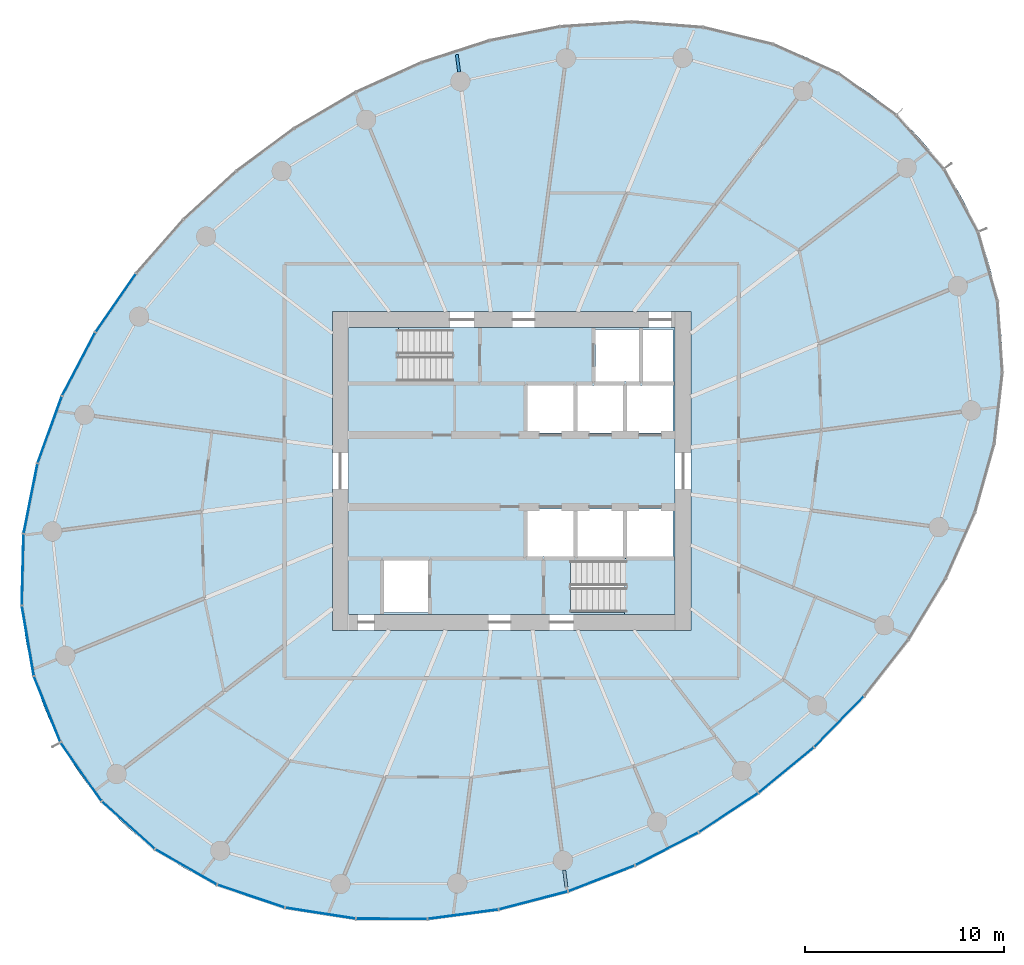
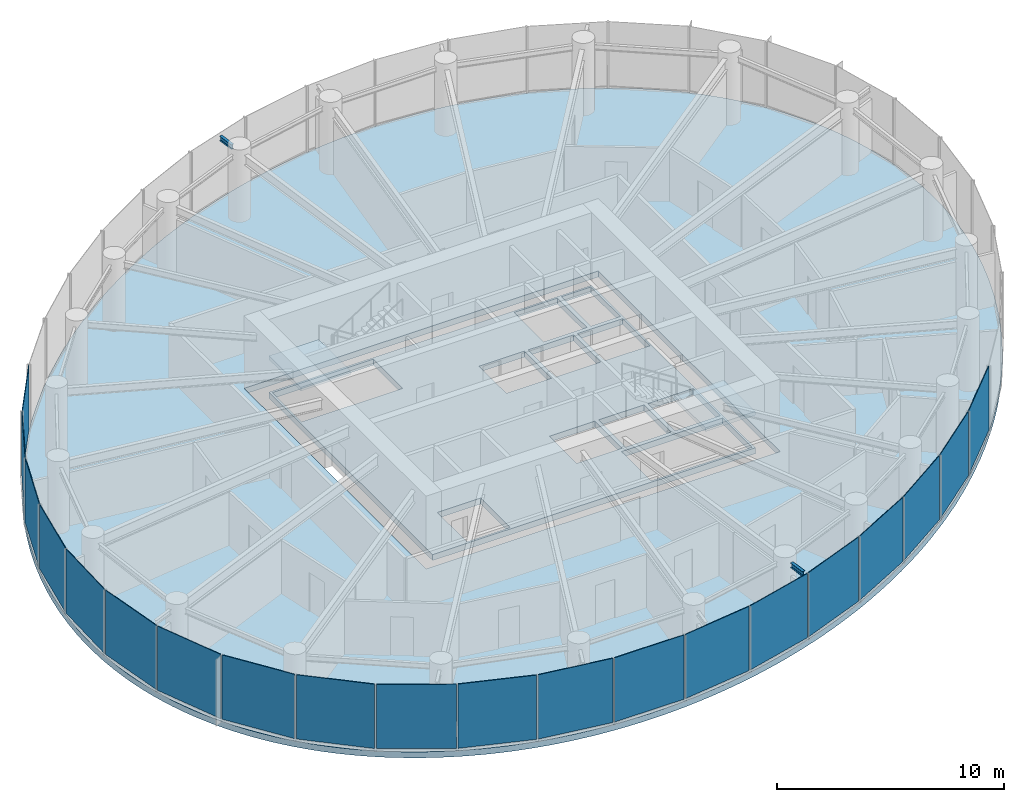
# One storey, part 7 of 14: 20 plates, 4 slabs, 2 beams, 6 elements without a shape of their own.
"""IFC4 building model written with IfcOpenShell, lengths in metres."""

from ifc_helpers import new_model, si_unit, direction, frame, origin, origin_2d, place, context, subcontext, project, spatial, line, indexed_curve, rectangle, i_section, outline, extrude, source, transform, mapped, material, layer, layer_set, material_profile, profile_set, type_object, element, aggregate, save


model = new_model("IFC4")

# Units and contexts
model_context = context("Model", 3, precision=1e-05, world=origin(), true_north=direction((0.0, 1.0)))
body_context = subcontext(model_context, "Body", "Model", "MODEL_VIEW")
ifc_project = project(units=[si_unit("LENGTHUNIT", "METRE"), si_unit("AREAUNIT", "SQUARE_METRE"), si_unit("VOLUMEUNIT", "CUBIC_METRE"), si_unit("PLANEANGLEUNIT", "RADIAN"), si_unit("MASSUNIT", "GRAM", prefix="KILO")], contexts=[model_context])

# Site, building, storey
site_placement = place(None, origin())
site = spatial("IfcSite", under=ifc_project, at=site_placement, CompositionType="ELEMENT")
building_placement = place(site_placement, origin())
building = spatial("IfcBuilding", under=site, at=building_placement, Name="Spindrift Exchange Tower", CompositionType="ELEMENT")
storey_placement = place(building_placement, frame((0.0, 0.0, 164.300048828125)))
storey = spatial("IfcBuildingStorey", under=building, at=storey_placement, Name="L39", CompositionType="ELEMENT", Elevation=164.300048828125)

# Beams
ifc_material_1 = material(Name="Steel Grade 300", Category="steel")
ifc_material_profile = material_profile(ifc_material_1, i_section(OverallWidth=0.14599609375, OverallDepth=0.251953125, WebThickness=0.006103515625, FlangeThickness=0.008544921875, FilletRadius=0.011962890625, at=origin_2d()), Name="250UB31.4")
ifc_profile_set = profile_set([ifc_material_profile], Name="Steel Grade 300")
beam_type = type_object("IfcBeamType", Name="Cantilever Beam 250UB31.4 Steel Grade 300", PredefinedType="BEAM", material=ifc_profile_set)
shared_shape_1 = source(origin(), body_context, "Body", "SweptSolid", [
    extrude(i_section(OverallWidth=0.14599609375, OverallDepth=0.251953125, WebThickness=0.006103515625, FlangeThickness=0.008544921875, FilletRadius=0.011962890625, at=origin_2d()), origin(), (0.0, 0.0, 1.0), 0.873046875),
])
for number, where, z_axis, x_axis, name in (
    (1, (49.36328125, 68.027099609375, 3.453857421875), (-0.130295389849, 0.991475219753, 0.0), (-0.991475219753, -0.130295389849, 0.0), "L39 cantilever beam R07T"),
    (2, (54.63671875, 27.972900390625, 3.453857421875), (0.130295389849, -0.991475219753, 0.0), (0.991475219753, 0.130295389849, 0.0), "L39 cantilever beam R19T"),
):
    element("IfcBeam", number, at=place(storey_placement, frame(where, z_axis=z_axis, x_axis=x_axis)), inside=storey, type_object=beam_type, Name=name, PredefinedType="BEAM", context=body_context, shape_type="MappedRepresentation", body=[
        mapped(shared_shape_1, transform((0.0, 0.0, 0.0), scale=1.0)),
    ])

# Slabs
ifc_material_2 = material(Name="Concrete 40 MPa", Category="concrete")
ifc_layer_1 = layer(ifc_material_2, 0.320068359375)
ifc_layer_set_1 = layer_set([ifc_layer_1], Name="RC Floor Slab 320 Concrete 40 MPa")
slab_type_1 = type_object("IfcSlabType", Name="RC Floor Slab 320 Concrete 40 MPa", PredefinedType="FLOOR", material=ifc_layer_set_1)
slab_1_placement = place(storey_placement, frame((0.0, 0.0, -0.320068359375)))
element("IfcSlab", 3, at=slab_1_placement, inside=storey, type_object=slab_type_1, Name="Floor slab L39", PredefinedType="FLOOR", context=body_context, shape_type="SweptSolid", body=[
    extrude(outline(indexed_curve([(73.689697265625, 63.158203125), (73.4501953125, 63.491455078125), (73.2021484375, 63.818359375), (72.945556640625, 64.138427734375), (72.680908203125, 64.451904296875), (72.407958984375, 64.75830078125), (72.127197265625, 65.0576171875), (71.8388671875, 65.349365234375), (71.543212890625, 65.6337890625), (71.240234375, 65.910400390625), (70.930419921875, 66.179443359375), (70.614013671875, 66.4404296875), (70.291015625, 66.693603515625), (69.9619140625, 66.938720703125), (69.627197265625, 67.175537109375), (69.286376953125, 67.404296875), (68.58935546875, 67.8369140625), (68.2333984375, 68.041015625), (67.507568359375, 68.423583984375), (66.765380859375, 68.7734375), (66.388427734375, 68.935791015625), (65.624755859375, 69.23583984375), (64.84912109375, 69.50341796875), (64.45751953125, 69.625244140625), (63.666748046875, 69.844970703125), (62.8681640625, 70.033203125), (62.46630859375, 70.11572265625), (61.658203125, 70.25830078125), (60.845458984375, 70.37109375), (60.437744140625, 70.41650390625), (60.029296875, 70.454833984375), (59.210693359375, 70.510498046875), (58.390380859375, 70.5380859375), (57.980224609375, 70.5419921875), (57.159912109375, 70.529541015625), (56.749755859375, 70.513671875), (56.340087890625, 70.4912109375), (55.52197265625, 70.427734375), (54.706298828125, 70.339599609375), (54.29931640625, 70.286376953125), (53.893310546875, 70.227294921875), (53.083984375, 70.091796875), (52.279052734375, 69.933349609375), (51.878173828125, 69.845703125), (51.080322265625, 69.654052734375), (50.683349609375, 69.55029296875), (50.287841796875, 69.44091796875), (49.50146484375, 69.206787109375), (49.110595703125, 69.082275390625), (48.333740234375, 68.817626953125), (47.564208984375, 68.533203125), (47.18212890625, 68.3837890625), (46.802001953125, 68.2294921875), (46.047607421875, 67.906494140625), (45.67333984375, 67.73828125), (44.931396484375, 67.3876953125), (43.835205078125, 66.828125), (42.760009765625, 66.229248046875), (41.706787109375, 65.592041015625), (41.017822265625, 65.146240234375), (40.33984375, 64.684326171875), (39.34375, 63.961181640625), (38.6943359375, 63.459716796875), (38.05712890625, 62.942626953125), (37.125, 62.138916015625), (36.222900390625, 61.301513671875), (35.35205078125, 60.431884765625), (34.78955078125, 59.834228515625), (34.51416015625, 59.5302734375), (33.974609375, 58.912109375), (33.710693359375, 58.597900390625), (33.450927734375, 58.2802734375), (32.94384765625, 57.63525390625), (32.696533203125, 57.307861328125), (32.215087890625, 56.643310546875), (31.751708984375, 55.966064453125), (31.527099609375, 55.622802734375), (31.091796875, 54.92724609375), (30.881591796875, 54.574951171875), (30.67626953125, 54.2197265625), (30.281005859375, 53.50048828125), (30.09130859375, 53.13671875), (29.72802734375, 52.40087890625), (29.38720703125, 51.654541015625), (29.225341796875, 51.277587890625), (28.919677734375, 50.51611328125), (28.77587890625, 50.1318359375), (28.50732421875, 49.3564453125), (28.3828125, 48.965576171875), (28.1533203125, 48.177734375), (28.049072265625, 47.781005859375), (27.951416015625, 47.38232421875), (27.778076171875, 46.580322265625), (27.63427734375, 45.772705078125), (27.57373046875, 45.36669921875), (27.47607421875, 44.552001953125), (27.410400390625, 43.734130859375), (27.39013671875, 43.324462890625), (27.375, 42.50390625), (27.394287109375, 41.683837890625), (27.417236328125, 41.274169921875), (27.490478515625, 40.456787109375), (27.6005859375, 39.643798828125), (27.669677734375, 39.239501953125), (27.83642578125, 38.43603515625), (27.93408203125, 38.03759765625), (28.158447265625, 37.248291015625), (28.28515625, 36.858154296875), (28.421630859375, 36.47119140625), (28.567626953125, 36.087646484375), (28.723388671875, 35.708251953125), (28.888916015625, 35.332763671875), (29.06396484375, 34.961669921875), (29.248291015625, 34.59521484375), (29.4423828125, 34.233642578125), (29.645751953125, 33.877197265625), (29.858154296875, 33.5263671875), (30.079833984375, 33.18115234375), (30.310302734375, 32.841796875), (30.5498046875, 32.508544921875), (30.7978515625, 32.181640625), (31.054443359375, 31.861572265625), (31.319091796875, 31.548095703125), (31.592041015625, 31.24169921875), (31.872802734375, 30.9423828125), (32.1611328125, 30.650634765625), (32.456787109375, 30.3662109375), (32.759765625, 30.089599609375), (33.069580078125, 29.820556640625), (33.385986328125, 29.5595703125), (33.708984375, 29.306396484375), (34.0380859375, 29.061279296875), (34.372802734375, 28.824462890625), (34.713623046875, 28.595703125), (35.41064453125, 28.1630859375), (35.7666015625, 27.958984375), (36.492431640625, 27.576416015625), (37.234619140625, 27.2265625), (37.611572265625, 27.064208984375), (38.375244140625, 26.76416015625), (39.15087890625, 26.49658203125), (39.54248046875, 26.374755859375), (40.333251953125, 26.155029296875), (41.1318359375, 25.966796875), (41.53369140625, 25.88427734375), (42.341796875, 25.74169921875), (43.154541015625, 25.62890625), (43.562255859375, 25.58349609375), (43.970703125, 25.545166015625), (44.789306640625, 25.489501953125), (45.609619140625, 25.4619140625), (46.019775390625, 25.4580078125), (46.840087890625, 25.470458984375), (47.250244140625, 25.486328125), (47.659912109375, 25.5087890625), (48.47802734375, 25.572265625), (49.293701171875, 25.660400390625), (49.70068359375, 25.713623046875), (50.106689453125, 25.772705078125), (50.916015625, 25.908203125), (51.720947265625, 26.066650390625), (52.121826171875, 26.154296875), (52.919677734375, 26.345947265625), (53.316650390625, 26.44970703125), (53.712158203125, 26.55908203125), (54.49853515625, 26.793212890625), (54.889404296875, 26.917724609375), (55.666259765625, 27.182373046875), (56.435791015625, 27.466796875), (56.81787109375, 27.6162109375), (57.197998046875, 27.7705078125), (57.952392578125, 28.093505859375), (58.32666015625, 28.26171875), (59.068603515625, 28.6123046875), (60.164794921875, 29.171875), (61.239990234375, 29.770751953125), (62.293212890625, 30.407958984375), (62.982177734375, 30.853759765625), (63.66015625, 31.315673828125), (64.65625, 32.038818359375), (65.3056640625, 32.540283203125), (65.94287109375, 33.057373046875), (66.875, 33.861083984375), (67.777099609375, 34.698486328125), (68.64794921875, 35.568115234375), (69.21044921875, 36.165771484375), (69.48583984375, 36.4697265625), (70.025390625, 37.087890625), (70.289306640625, 37.402099609375), (70.549072265625, 37.7197265625), (71.05615234375, 38.36474609375), (71.303466796875, 38.692138671875), (71.784912109375, 39.356689453125), (72.248291015625, 40.033935546875), (72.472900390625, 40.377197265625), (72.908203125, 41.07275390625), (73.118408203125, 41.425048828125), (73.32373046875, 41.7802734375), (73.718994140625, 42.49951171875), (73.90869140625, 42.86328125), (74.27197265625, 43.59912109375), (74.61279296875, 44.345458984375), (74.774658203125, 44.722412109375), (75.080322265625, 45.48388671875), (75.22412109375, 45.8681640625), (75.49267578125, 46.6435546875), (75.6171875, 47.034423828125), (75.8466796875, 47.822265625), (75.950927734375, 48.218994140625), (76.048583984375, 48.61767578125), (76.221923828125, 49.419677734375), (76.36572265625, 50.227294921875), (76.42626953125, 50.63330078125), (76.52392578125, 51.447998046875), (76.589599609375, 52.265869140625), (76.60986328125, 52.675537109375), (76.625, 53.49609375), (76.605712890625, 54.316162109375), (76.582763671875, 54.725830078125), (76.509521484375, 55.543212890625), (76.3994140625, 56.356201171875), (76.330322265625, 56.760498046875), (76.16357421875, 57.56396484375), (76.06591796875, 57.96240234375), (75.841552734375, 58.751708984375), (75.71484375, 59.141845703125), (75.578369140625, 59.52880859375), (75.432373046875, 59.912353515625), (75.276611328125, 60.291748046875), (75.111083984375, 60.667236328125), (74.93603515625, 61.038330078125), (74.751708984375, 61.40478515625), (74.5576171875, 61.766357421875), (74.354248046875, 62.122802734375), (74.141845703125, 62.4736328125), (73.920166015625, 62.81884765625)], segments=[line(1, 2, 3, 4, 5, 6, 7, 8, 9, 10, 11, 12, 13, 14, 15, 16, 17, 18, 19, 20, 21, 22, 23, 24, 25, 26, 27, 28, 29, 30, 31, 32, 33, 34, 35, 36, 37, 38, 39, 40, 41, 42, 43, 44, 45, 46, 47, 48, 49, 50, 51, 52, 53, 54, 55, 56, 57, 58, 59, 60, 61, 62, 63, 64, 65, 66, 67, 68, 69, 70, 71, 72, 73, 74, 75, 76, 77, 78, 79, 80, 81, 82, 83, 84, 85, 86, 87, 88, 89, 90, 91, 92, 93, 94, 95, 96, 97, 98, 99, 100, 101, 102, 103, 104, 105, 106, 107, 108, 109, 110, 111, 112, 113, 114, 115, 116, 117, 118, 119, 120, 121, 122, 123, 124, 125, 126, 127, 128, 129, 130, 131, 132, 133, 134, 135, 136, 137, 138, 139, 140, 141, 142, 143, 144, 145, 146, 147, 148, 149, 150, 151, 152, 153, 154, 155, 156, 157, 158, 159, 160, 161, 162, 163, 164, 165, 166, 167, 168, 169, 170, 171, 172, 173, 174, 175, 176, 177, 178, 179, 180, 181, 182, 183, 184, 185, 186, 187, 188, 189, 190, 191, 192, 193, 194, 195, 196, 197, 198, 199, 200, 201, 202, 203, 204, 205, 206, 207, 208, 209, 210, 211, 212, 213, 214, 215, 216, 217, 218, 219, 220, 221, 222, 223, 224, 225, 226, 227, 228, 229, 230, 231, 232, 233, 234, 235, 236, 1)], self_intersect=False), holes=[indexed_curve([(43.0, 40.0), (61.0, 40.0), (61.0, 56.0), (43.0, 56.0)], segments=[line(1, 2, 3, 4, 1)], self_intersect=False)]), origin(), (0.0, 0.0, 1.0), 0.320068359375),
])
ifc_material_3 = material(Name="Concrete 50 MPa", Category="concrete")
ifc_layer_2 = layer(ifc_material_3, 0.320068359375)
ifc_layer_set_2 = layer_set([ifc_layer_2], Name="SL-CORE-FLOOR-320")
slab_type_2 = type_object("IfcSlabType", Name="SL-CORE-FLOOR-320", PredefinedType="FLOOR", material=ifc_layer_set_2)
slab_2_placement = place(storey_placement, frame((0.0, 0.0, -0.320068359375)))
element("IfcSlab", 4, at=slab_2_placement, inside=storey, type_object=slab_type_2, Name="L39 Core floor slab", PredefinedType="FLOOR", context=body_context, shape_type="SweptSolid", body=[
    extrude(outline(indexed_curve([(43.800048828125, 40.800048828125), (43.800048828125, 55.199951171875), (60.199951171875, 55.199951171875), (60.199951171875, 40.800048828125)], segments=[line(1, 2, 3, 4, 1)], self_intersect=False), holes=[indexed_curve([(45.60009765625, 43.5), (45.60009765625, 40.89990234375), (47.800048828125, 40.89990234375), (47.800048828125, 43.5)], segments=[line(1, 2, 3, 4, 1)], self_intersect=False), indexed_curve([(52.800048828125, 46.10009765625), (52.800048828125, 43.699951171875), (55.10009765625, 43.699951171875), (55.10009765625, 46.10009765625)], segments=[line(1, 2, 3, 4, 1)], self_intersect=False), indexed_curve([(55.300048828125, 46.10009765625), (55.300048828125, 43.699951171875), (57.60009765625, 43.699951171875), (57.60009765625, 46.10009765625)], segments=[line(1, 2, 3, 4, 1)], self_intersect=False), indexed_curve([(55.10009765625, 52.300048828125), (52.800048828125, 52.300048828125), (52.800048828125, 49.89990234375), (55.10009765625, 49.89990234375)], segments=[line(1, 2, 3, 4, 1)], self_intersect=False), indexed_curve([(57.60009765625, 52.300048828125), (55.300048828125, 52.300048828125), (55.300048828125, 49.89990234375), (57.60009765625, 49.89990234375)], segments=[line(1, 2, 3, 4, 1)], self_intersect=False), indexed_curve([(43.906005859375, 52.506103515625), (49.0439453125, 52.506103515625), (49.0439453125, 55.093994140625), (43.906005859375, 55.093994140625)], segments=[line(1, 2, 3, 4, 1)], self_intersect=False), indexed_curve([(60.093994140625, 40.906005859375), (60.093994140625, 43.493896484375), (54.9560546875, 43.493896484375), (54.9560546875, 40.906005859375)], segments=[line(1, 2, 3, 4, 1)], self_intersect=False), indexed_curve([(60.10009765625, 46.10009765625), (57.800048828125, 46.10009765625), (57.800048828125, 43.699951171875), (60.10009765625, 43.699951171875)], segments=[line(1, 2, 3, 4, 1)], self_intersect=False), indexed_curve([(57.800048828125, 52.300048828125), (57.800048828125, 49.89990234375), (60.10009765625, 49.89990234375), (60.10009765625, 52.300048828125)], segments=[line(1, 2, 3, 4, 1)], self_intersect=False), indexed_curve([(58.39990234375, 55.10009765625), (56.199951171875, 55.10009765625), (56.199951171875, 52.5), (58.39990234375, 52.5)], segments=[line(1, 2, 3, 4, 1)], self_intersect=False), indexed_curve([(60.10009765625, 55.10009765625), (58.60009765625, 55.10009765625), (58.60009765625, 52.5), (60.10009765625, 52.5)], segments=[line(1, 2, 3, 4, 1)], self_intersect=False)]), origin(), (0.0, 0.0, 1.0), 0.320068359375),
])

# Stair, slab
stair_type = type_object("IfcStairType", Name="ST-1250-R177", PredefinedType="HALF_TURN_STAIR", material=ifc_material_3)
stair_1_placement = place(storey_placement, origin())
stair_1 = element("IfcStair", 5, at=stair_1_placement, inside=storey, type_object=stair_type, Name="L39 Exit stair ST1", PredefinedType="HALF_TURN_STAIR")
ifc_layer_3 = layer(ifc_material_3, 0.199951171875)
ifc_layer_set_3 = layer_set([ifc_layer_3], Name="SL-LANDING")
slab_type_3 = type_object("IfcSlabType", Name="SL-LANDING", PredefinedType="LANDING", material=ifc_layer_set_3)
slab_3_placement = place(storey_placement, frame((0.0, 0.0, 1.75)))
slab_3 = element("IfcSlab", 6, at=slab_3_placement, type_object=slab_type_3, Name="ST1 landing 1", PredefinedType="LANDING", context=body_context, shape_type="SweptSolid", body=[
    extrude(outline(indexed_curve([(46.330078125, 52.39990234375), (43.800048828125, 52.39990234375), (43.800048828125, 55.199951171875), (46.330078125, 55.199951171875)], segments=[line(1, 2, 3, 4, 1)], self_intersect=False)), origin(), (0.0, 0.0, 1.0), 0.199951171875),
])
aggregate(stair_1, [slab_3])

stair_2_placement = place(storey_placement, origin())
stair_2 = element("IfcStair", 7, at=stair_2_placement, inside=storey, type_object=stair_type, Name="L39 Exit stair ST2", PredefinedType="HALF_TURN_STAIR")
slab_4_placement = place(storey_placement, frame((0.0, 0.0, 1.75)))
slab_4 = element("IfcSlab", 8, at=slab_4_placement, type_object=slab_type_3, Name="ST2 landing 1", PredefinedType="LANDING", context=body_context, shape_type="SweptSolid", body=[
    extrude(outline(indexed_curve([(57.669921875, 43.60009765625), (60.199951171875, 43.60009765625), (60.199951171875, 40.800048828125), (57.669921875, 40.800048828125)], segments=[line(1, 2, 3, 4, 1)], self_intersect=False)), origin(), (0.0, 0.0, 1.0), 0.199951171875),
])
aggregate(stair_2, [slab_4])

# Curtain wall, plate
ifc_material_4 = material(Name="Fritted laminated glass with bronze frame", Category="glass")
ifc_layer_4 = layer(ifc_material_4, 0.179931640625)
ifc_layer_set_4 = layer_set([ifc_layer_4], Name="ZONE 3 BRONZE FRITTED WALL")
curtain_wall_type = type_object("IfcCurtainWallType", Name="ZONE 3 BRONZE FRITTED WALL", PredefinedType="NOTDEFINED", material=ifc_layer_set_4)
curtain_wall_1_placement = place(storey_placement, origin())
curtain_wall_1 = element("IfcCurtainWall", 9, at=curtain_wall_1_placement, inside=storey, type_object=curtain_wall_type, Name="L39 Zone 3 Bronze Fritted Wall run 5", PredefinedType="NOTDEFINED")
ifc_material_5 = material(Name="Bronze fritted laminated glass, open frit", Category="glass")
ifc_layer_5 = layer(ifc_material_5, 0.031982421875)
ifc_layer_set_5 = layer_set([ifc_layer_5], Name="ZONE 3 BRONZE FRITTED WALL PANEL OPEN FRIT 360")
plate_type_1 = type_object("IfcPlateType", Name="ZONE 3 BRONZE FRITTED WALL PANEL OPEN FRIT 360", PredefinedType="CURTAIN_PANEL", material=ifc_layer_set_5)
shared_shape_2 = source(origin(), body_context, "Body", "SweptSolid", [
    extrude(rectangle(XDim=3.530517578125, YDim=0.031982421875, at=origin_2d()), origin(), (0.0, 0.0, 1.0), 3.449951171875),
])
plate_1_placement = place(storey_placement, frame((56.51123046875, 27.54931640625, 0.1298828125), z_axis=(0.0, 0.0, 1.0), x_axis=(0.932504195084, 0.361159142417, 0.0)))
plate_1 = element("IfcPlate", 10, at=plate_1_placement, type_object=plate_type_1, Name="L39 panel CW-3.29", PredefinedType="CURTAIN_PANEL", context=body_context, shape_type="MappedRepresentation", body=[
    mapped(shared_shape_2, transform((0.0, 0.0, 0.0), scale=1.0)),
])

# Curtain wall, plates
curtain_wall_2_placement = place(storey_placement, origin())
curtain_wall_2 = element("IfcCurtainWall", 11, at=curtain_wall_2_placement, inside=storey, type_object=curtain_wall_type, Name="L39 Zone 3 Bronze Fritted Wall run 6", PredefinedType="NOTDEFINED")
ifc_layer_6 = layer(ifc_material_5, 0.031982421875)
ifc_layer_set_6 = layer_set([ifc_layer_6], Name="ZONE 3 BRONZE FRITTED WALL PANEL OPEN FRIT 600")
plate_type_2 = type_object("IfcPlateType", Name="ZONE 3 BRONZE FRITTED WALL PANEL OPEN FRIT 600", PredefinedType="CURTAIN_PANEL", material=ifc_layer_set_6)
shared_shape_3 = source(origin(), body_context, "Body", "SweptSolid", [
    extrude(rectangle(XDim=3.53076171875, YDim=0.031982421875, at=origin_2d()), origin(), (0.0, 0.0, 1.0), 3.449951171875),
])
plate_2_placement = place(storey_placement, frame((68.431640625, 35.415771484375, 0.1298828125), z_axis=(0.0, 0.0, 1.0), x_axis=(0.699877791276, 0.714262610865, 0.0)))
plate_2 = element("IfcPlate", 12, at=plate_2_placement, type_object=plate_type_2, Name="L39 panel CW-3.33", PredefinedType="CURTAIN_PANEL", context=body_context, shape_type="MappedRepresentation", body=[
    mapped(shared_shape_3, transform((0.0, 0.0, 0.0), scale=1.0)),
])
shared_shape_4 = source(origin(), body_context, "Body", "SweptSolid", [
    extrude(rectangle(XDim=3.531005859375, YDim=0.031982421875, at=origin_2d()), origin(), (0.0, 0.0, 1.0), 3.449951171875),
])
plate_3_placement = place(storey_placement, frame((65.781494140625, 32.985595703125, 0.1298828125), z_axis=(0.0, 0.0, 1.0), x_axis=(0.77202741873, 0.635589226411, 0.0)))
plate_3 = element("IfcPlate", 13, at=plate_3_placement, type_object=plate_type_2, Name="L39 panel CW-3.32", PredefinedType="CURTAIN_PANEL", context=body_context, shape_type="MappedRepresentation", body=[
    mapped(shared_shape_4, transform((0.0, 0.0, 0.0), scale=1.0)),
])

# Plate
shared_shape_5 = source(origin(), body_context, "Body", "SweptSolid", [
    extrude(rectangle(XDim=3.531005859375, YDim=0.031982421875, at=origin_2d()), origin(), (0.0, 0.0, 1.0), 3.449951171875),
])
plate_4_placement = place(storey_placement, frame((59.78857421875, 29.028076171875, 0.1298828125), z_axis=(0.0, 0.0, 1.0), x_axis=(0.887834661161, 0.460162595656, 0.0)))
plate_4 = element("IfcPlate", 14, at=plate_4_placement, type_object=plate_type_1, Name="L39 panel CW-3.30", PredefinedType="CURTAIN_PANEL", context=body_context, shape_type="MappedRepresentation", body=[
    mapped(shared_shape_5, transform((0.0, 0.0, 0.0), scale=1.0)),
])

plate_5_placement = place(storey_placement, frame((62.889404296875, 30.848876953125, 0.1298828125), z_axis=(0.0, 0.0, 1.0), x_axis=(0.834409487726, 0.55114499616, 0.0)))
plate_5 = element("IfcPlate", 15, at=plate_5_placement, type_object=plate_type_1, Name="L39 panel CW-3.31", PredefinedType="CURTAIN_PANEL", context=body_context, shape_type="MappedRepresentation", body=[
    mapped(shared_shape_5, transform((0.0, 0.0, 0.0), scale=1.0)),
])

aggregate(curtain_wall_2, [plate_5, plate_3, plate_2])

# Curtain wall, plate
curtain_wall_3_placement = place(storey_placement, origin())
curtain_wall_3 = element("IfcCurtainWall", 16, at=curtain_wall_3_placement, inside=storey, type_object=curtain_wall_type, Name="L39 Zone 3 Bronze Fritted Wall run 3", PredefinedType="NOTDEFINED")
shared_shape_6 = source(origin(), body_context, "Body", "SweptSolid", [
    extrude(rectangle(XDim=3.530517578125, YDim=0.031982421875, at=origin_2d()), origin(), (0.0, 0.0, 1.0), 3.449951171875),
])
plate_6_placement = place(storey_placement, frame((32.1328125, 56.4326171875, 0.1298828125), z_axis=(0.0, 0.0, 1.0), x_axis=(-0.569595162107, -0.821925392785, 0.0)))
plate_6 = element("IfcPlate", 17, at=plate_6_placement, type_object=plate_type_2, Name="L39 panel CW-3.14", PredefinedType="CURTAIN_PANEL", context=body_context, shape_type="MappedRepresentation", body=[
    mapped(shared_shape_6, transform((0.0, 0.0, 0.0), scale=1.0)),
])

# Curtain wall, plates
curtain_wall_4_placement = place(storey_placement, origin())
curtain_wall_4 = element("IfcCurtainWall", 18, at=curtain_wall_4_placement, inside=storey, type_object=curtain_wall_type, Name="L39 Zone 3 Bronze Fritted Wall run 4", PredefinedType="NOTDEFINED")
shared_shape_7 = source(origin(), body_context, "Body", "SweptSolid", [
    extrude(rectangle(XDim=3.527587890625, YDim=0.031982421875, at=origin_2d()), origin(), (0.0, 0.0, 1.0), 3.449951171875),
])
plate_7_placement = place(storey_placement, frame((38.92041015625, 26.65869140625, 0.1298828125), z_axis=(0.0, 0.0, 1.0), x_axis=(0.947323812064, -0.320277372127, 0.0)))
plate_7 = element("IfcPlate", 19, at=plate_7_placement, type_object=plate_type_1, Name="L39 panel CW-3.24", PredefinedType="CURTAIN_PANEL", context=body_context, shape_type="MappedRepresentation", body=[
    mapped(shared_shape_7, transform((0.0, 0.0, 0.0), scale=1.0)),
])
shared_shape_8 = source(origin(), body_context, "Body", "SweptSolid", [
    extrude(rectangle(XDim=3.525146484375, YDim=0.031982421875, at=origin_2d()), origin(), (0.0, 0.0, 1.0), 3.449951171875),
])
plate_8_placement = place(storey_placement, frame((32.759765625, 30.22412109375, 0.1298828125), z_axis=(0.0, 0.0, 1.0), x_axis=(0.742685684381, -0.669640182647, 0.0)))
plate_8 = element("IfcPlate", 20, at=plate_8_placement, type_object=plate_type_2, Name="L39 panel CW-3.22", PredefinedType="CURTAIN_PANEL", context=body_context, shape_type="MappedRepresentation", body=[
    mapped(shared_shape_8, transform((0.0, 0.0, 0.0), scale=1.0)),
])
shared_shape_9 = source(origin(), body_context, "Body", "SweptSolid", [
    extrude(rectangle(XDim=3.5263671875, YDim=0.031982421875, at=origin_2d()), origin(), (0.0, 0.0, 1.0), 3.449951171875),
])
plate_9_placement = place(storey_placement, frame((27.720703125, 39.4814453125, 0.1298828125), z_axis=(0.0, 0.0, 1.0), x_axis=(0.167892377849, -0.985805330408, 0.0)))
plate_9 = element("IfcPlate", 21, at=plate_9_placement, type_object=plate_type_1, Name="L39 panel CW-3.19", PredefinedType="CURTAIN_PANEL", context=body_context, shape_type="MappedRepresentation", body=[
    mapped(shared_shape_9, transform((0.0, 0.0, 0.0), scale=1.0)),
])
plate_10_placement = place(storey_placement, frame((35.655517578125, 28.12744140625, 0.1298828125), z_axis=(0.0, 0.0, 1.0), x_axis=(0.868049812848, -0.496477111672, 0.0)))
plate_10 = element("IfcPlate", 22, at=plate_10_placement, type_object=plate_type_1, Name="L39 panel CW-3.23", PredefinedType="CURTAIN_PANEL", context=body_context, shape_type="MappedRepresentation", body=[
    mapped(shared_shape_9, transform((0.0, 0.0, 0.0), scale=1.0)),
])

# Plate
ifc_layer_7 = layer(ifc_material_5, 0.031982421875)
ifc_layer_set_7 = layer_set([ifc_layer_7], Name="ZONE 3 BRONZE FRITTED WALL PANEL OPEN FRIT 480")
plate_type_3 = type_object("IfcPlateType", Name="ZONE 3 BRONZE FRITTED WALL PANEL OPEN FRIT 480", PredefinedType="CURTAIN_PANEL", material=ifc_layer_set_7)
shared_shape_10 = source(origin(), body_context, "Body", "SweptSolid", [
    extrude(rectangle(XDim=3.530517578125, YDim=0.031982421875, at=origin_2d()), origin(), (0.0, 0.0, 1.0), 3.449951171875),
])
plate_11_placement = place(storey_placement, frame((53.090576171875, 26.44482421875, 0.1298828125), z_axis=(0.0, 0.0, 1.0), x_axis=(0.96762684941, 0.252385182412, 0.0)))
plate_11 = element("IfcPlate", 23, at=plate_11_placement, type_object=plate_type_3, Name="L39 panel CW-3.28", PredefinedType="CURTAIN_PANEL", context=body_context, shape_type="MappedRepresentation", body=[
    mapped(shared_shape_10, transform((0.0, 0.0, 0.0), scale=1.0)),
])

shared_shape_11 = source(origin(), body_context, "Body", "SweptSolid", [
    extrude(rectangle(XDim=3.530029296875, YDim=0.031982421875, at=origin_2d()), origin(), (0.0, 0.0, 1.0), 3.449951171875),
])
plate_12_placement = place(storey_placement, frame((30.271484375, 53.358642578125, 0.1298828125), z_axis=(0.0, 0.0, 1.0), x_axis=(-0.464352113428, -0.885650673096, 0.0)))
plate_12 = element("IfcPlate", 24, at=plate_12_placement, type_object=plate_type_3, Name="L39 panel CW-3.15", PredefinedType="CURTAIN_PANEL", context=body_context, shape_type="MappedRepresentation", body=[
    mapped(shared_shape_11, transform((0.0, 0.0, 0.0), scale=1.0)),
])

plate_13_placement = place(storey_placement, frame((49.564208984375, 25.75341796875, 0.1298828125), z_axis=(0.0, 0.0, 1.0), x_axis=(0.99129476744, 0.131661247323, 0.0)))
plate_13 = element("IfcPlate", 25, at=plate_13_placement, type_object=plate_type_3, Name="L39 panel CW-3.27", PredefinedType="CURTAIN_PANEL", context=body_context, shape_type="MappedRepresentation", body=[
    mapped(shared_shape_11, transform((0.0, 0.0, 0.0), scale=1.0)),
])

shared_shape_12 = source(origin(), body_context, "Body", "SweptSolid", [
    extrude(rectangle(XDim=3.527587890625, YDim=0.031982421875, at=origin_2d()), origin(), (0.0, 0.0, 1.0), 3.449951171875),
])
plate_14_placement = place(storey_placement, frame((27.46337890625, 43.052490234375, 0.1298828125), z_axis=(0.0, 0.0, 1.0), x_axis=(-0.024850929978, -0.999691167951, 0.0)))
plate_14 = element("IfcPlate", 26, at=plate_14_placement, type_object=plate_type_3, Name="L39 panel CW-3.18", PredefinedType="CURTAIN_PANEL", context=body_context, shape_type="MappedRepresentation", body=[
    mapped(shared_shape_12, transform((0.0, 0.0, 0.0), scale=1.0)),
])

shared_shape_13 = source(origin(), body_context, "Body", "SweptSolid", [
    extrude(rectangle(XDim=3.525146484375, YDim=0.031982421875, at=origin_2d()), origin(), (0.0, 0.0, 1.0), 3.449951171875),
])
plate_15_placement = place(storey_placement, frame((28.694091796875, 36.04150390625, 0.1298828125), z_axis=(0.0, 0.0, 1.0), x_axis=(0.373590113187, -0.927593891382, 0.0)))
plate_15 = element("IfcPlate", 27, at=plate_15_placement, type_object=plate_type_3, Name="L39 panel CW-3.20", PredefinedType="CURTAIN_PANEL", context=body_context, shape_type="MappedRepresentation", body=[
    mapped(shared_shape_13, transform((0.0, 0.0, 0.0), scale=1.0)),
])

shared_shape_14 = source(origin(), body_context, "Body", "SweptSolid", [
    extrude(rectangle(XDim=3.524658203125, YDim=0.031982421875, at=origin_2d()), origin(), (0.0, 0.0, 1.0), 3.449951171875),
])
plate_16_placement = place(storey_placement, frame((30.395263671875, 32.90087890625, 0.1298828125), z_axis=(0.0, 0.0, 1.0), x_axis=(0.572831330818, -0.819673268097, 0.0)))
plate_16 = element("IfcPlate", 28, at=plate_16_placement, type_object=plate_type_3, Name="L39 panel CW-3.21", PredefinedType="CURTAIN_PANEL", context=body_context, shape_type="MappedRepresentation", body=[
    mapped(shared_shape_14, transform((0.0, 0.0, 0.0), scale=1.0)),
])

aggregate(curtain_wall_4, [plate_9, plate_15, plate_16, plate_8, plate_10, plate_7])

shared_shape_15 = source(origin(), body_context, "Body", "SweptSolid", [
    extrude(rectangle(XDim=3.529541015625, YDim=0.031982421875, at=origin_2d()), origin(), (0.0, 0.0, 1.0), 3.449951171875),
])
plate_17_placement = place(storey_placement, frame((28.822509765625, 50.072509765625, 0.1298828125), z_axis=(0.0, 0.0, 1.0), x_axis=(-0.34065852433, -0.940187092977, 0.0)))
plate_17 = element("IfcPlate", 29, at=plate_17_placement, type_object=plate_type_1, Name="L39 panel CW-3.16", PredefinedType="CURTAIN_PANEL", context=body_context, shape_type="MappedRepresentation", body=[
    mapped(shared_shape_15, transform((0.0, 0.0, 0.0), scale=1.0)),
])

shared_shape_16 = source(origin(), body_context, "Body", "SweptSolid", [
    extrude(rectangle(XDim=3.52880859375, YDim=0.031982421875, at=origin_2d()), origin(), (0.0, 0.0, 1.0), 3.449951171875),
])
plate_18_placement = place(storey_placement, frame((27.85888671875, 46.615478515625, 0.1298828125), z_axis=(0.0, 0.0, 1.0), x_axis=(-0.194903733024, -0.980822376811, 0.0)))
plate_18 = element("IfcPlate", 30, at=plate_18_placement, type_object=plate_type_3, Name="L39 panel CW-3.17", PredefinedType="CURTAIN_PANEL", context=body_context, shape_type="MappedRepresentation", body=[
    mapped(shared_shape_16, transform((0.0, 0.0, 0.0), scale=1.0)),
])

aggregate(curtain_wall_3, [plate_6, plate_12, plate_17, plate_18, plate_14])

shared_shape_17 = source(origin(), body_context, "Body", "SweptSolid", [
    extrude(rectangle(XDim=3.529296875, YDim=0.031982421875, at=origin_2d()), origin(), (0.0, 0.0, 1.0), 3.449951171875),
])
plate_19_placement = place(storey_placement, frame((45.97998046875, 25.522216796875, 0.1298828125), z_axis=(0.0, 0.0, 1.0), x_axis=(0.999994719395, -0.003249797347, 0.0)))
plate_19 = element("IfcPlate", 31, at=plate_19_placement, type_object=plate_type_1, Name="L39 panel CW-3.26", PredefinedType="CURTAIN_PANEL", context=body_context, shape_type="MappedRepresentation", body=[
    mapped(shared_shape_17, transform((0.0, 0.0, 0.0), scale=1.0)),
])

shared_shape_18 = source(origin(), body_context, "Body", "SweptSolid", [
    extrude(rectangle(XDim=3.52880859375, YDim=0.031982421875, at=origin_2d()), origin(), (0.0, 0.0, 1.0), 3.449951171875),
])
plate_20_placement = place(storey_placement, frame((42.40234375, 25.805419921875, 0.1298828125), z_axis=(0.0, 0.0, 1.0), x_axis=(0.988062525165, -0.154053388031, 0.0)))
plate_20 = element("IfcPlate", 32, at=plate_20_placement, type_object=plate_type_2, Name="L39 panel CW-3.25", PredefinedType="CURTAIN_PANEL", context=body_context, shape_type="MappedRepresentation", body=[
    mapped(shared_shape_18, transform((0.0, 0.0, 0.0), scale=1.0)),
])

aggregate(curtain_wall_1, [plate_20, plate_19, plate_13, plate_11, plate_1, plate_4])

save(model, "model.ifc")
